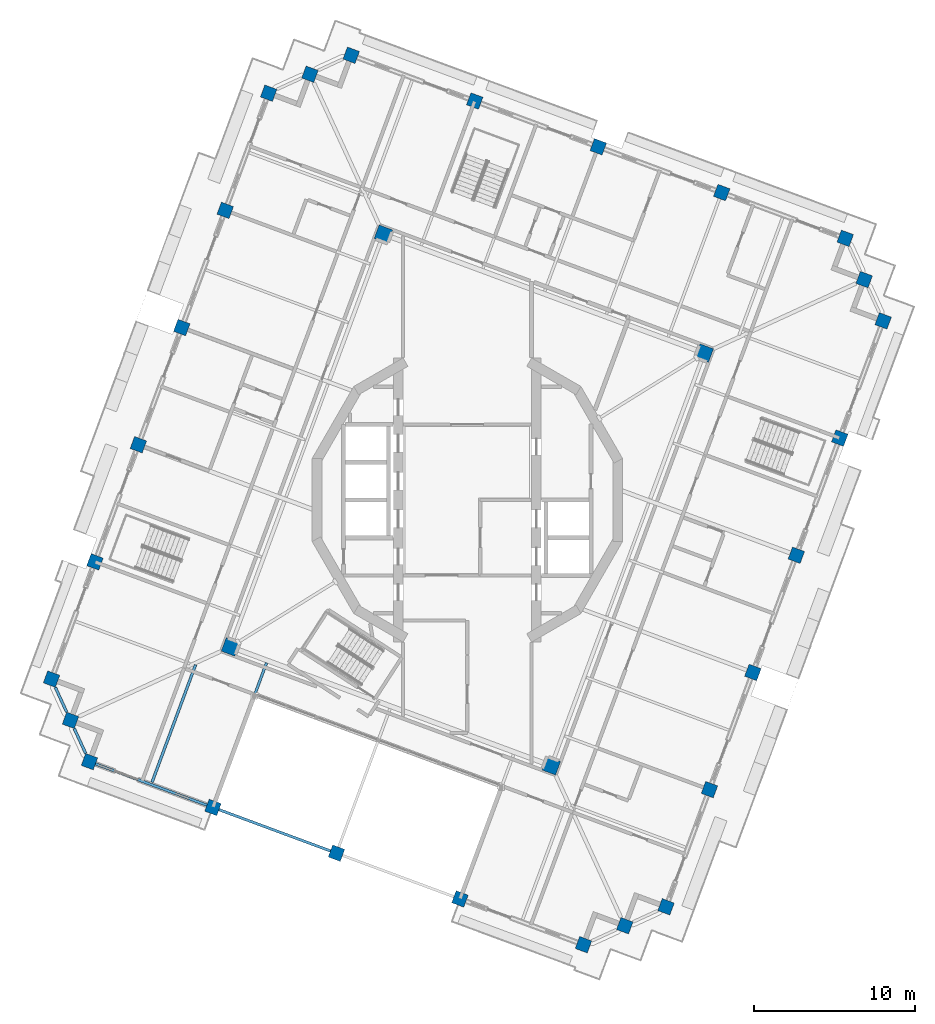
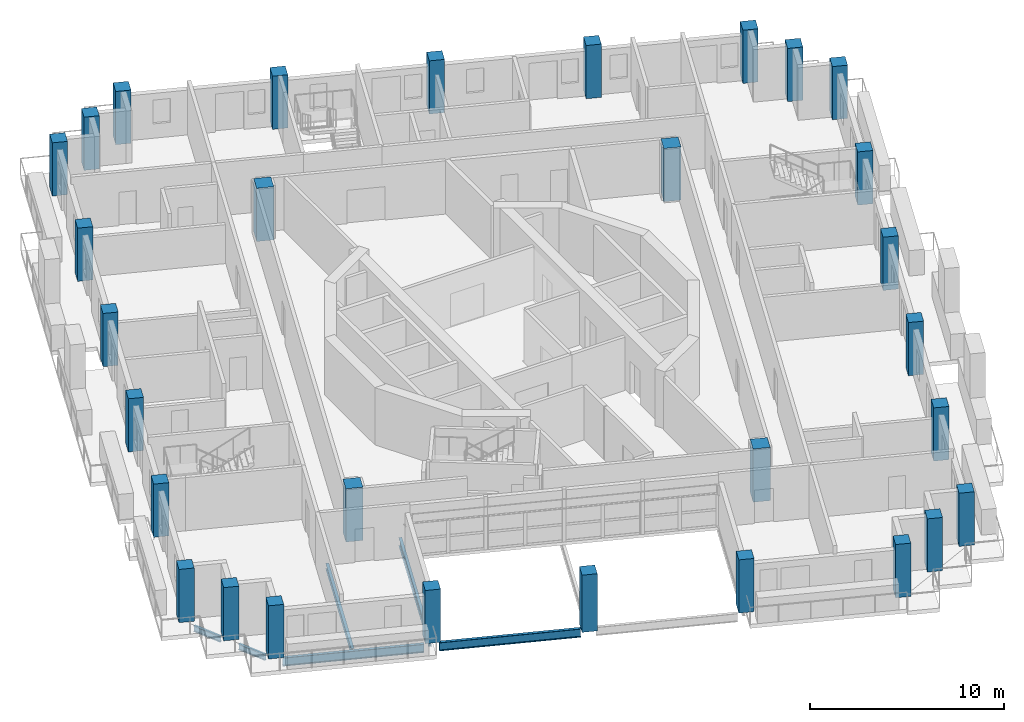
# One storey, part 1 of 19: 30 columns, 6 beams.
"""IFC4 building model written with IfcOpenShell, lengths in metres."""

from ifc_helpers import new_model, si_unit, direction, frame, origin, origin_2d, place, context, subcontext, project, spatial, rectangle, i_section, extrude, material, material_profile, profile_set, type_object, element, save


model = new_model("IFC4")

# Units and contexts
model_context = context("Model", 3, precision=1e-05, world=origin(), true_north=direction((0.0, 1.0)))
body_context = subcontext(model_context, "Body", "Model", "MODEL_VIEW")
ifc_project = project(units=[si_unit("LENGTHUNIT", "METRE"), si_unit("AREAUNIT", "SQUARE_METRE"), si_unit("VOLUMEUNIT", "CUBIC_METRE"), si_unit("PLANEANGLEUNIT", "RADIAN"), si_unit("MASSUNIT", "GRAM", prefix="KILO")], contexts=[model_context])

# Site, building, storey
site_placement = place(None, origin())
site = spatial("IfcSite", under=ifc_project, at=site_placement, CompositionType="ELEMENT")
building_placement = place(site_placement, origin())
building = spatial("IfcBuilding", under=site, at=building_placement, Name="Cantera Rosa Tower", CompositionType="ELEMENT")
storey_placement = place(building_placement, frame((0.0, 0.0, 324.10009765625)))
storey = spatial("IfcBuildingStorey", under=building, at=storey_placement, Name="L72", CompositionType="ELEMENT", Elevation=324.10009765625)

# Columns
ifc_material_1 = material(Name="Concrete C50/60", Category="concrete")
ifc_material_profile_1 = material_profile(ifc_material_1, rectangle(XDim=0.800048828125, YDim=0.800048828125, at=origin_2d()), Name="RC COLUMN RC800X800 C50/60")
ifc_profile_set_1 = profile_set([ifc_material_profile_1], Name="Concrete C50/60")
column_type_1 = type_object("IfcColumnType", Name="RC COLUMN RC800X800 C50/60", PredefinedType="COLUMN", material=ifc_profile_set_1)
for number, where, z_axis, x_axis, name in (
    (1, (23.526611328125, 16.2900390625, 0.0), (0.0, 0.0, 1.0), (0.347481234489, 0.937686936924, 0.0), "C-Z6-01 L72"),
    (2, (15.83740234375, 19.139404296875, 0.0), (0.0, 0.0, 1.0), (0.347481234489, 0.937686936924, 0.0), "C-Z6-02 L72"),
    (3, (8.1484375, 21.98876953125, 0.0), (0.0, 0.0, 1.0), (0.347481234489, 0.937686936924, 0.0), "C-Z6-03 L72"),
    (4, (0.45947265625, 24.838134765625, 0.0), (0.0, 0.0, 1.0), (0.347481234489, 0.937686936924, 0.0), "C-Z6-04 L72"),
    (5, (-7.229736328125, 27.6875, 0.0), (0.0, 0.0, 1.0), (0.347481234489, 0.937686936924, 0.0), "C-Z6-05 L72"),
    (6, (-9.800048828125, 26.507080078125, 0.0), (0.0, 0.0, 1.0), (0.347481234489, 0.937686936924, 0.0), "C-Z6-06 L72"),
    (7, (-12.370361328125, 25.32666015625, 0.0), (0.0, 0.0, 1.0), (0.347481234489, 0.937686936924, 0.0), "C-Z6-07 L72"),
    (8, (-15.07373046875, 18.031494140625, 0.0), (0.0, 0.0, 1.0), (0.347481234489, 0.937686936924, 0.0), "C-Z6-08 L72"),
    (9, (-17.777099609375, 10.736328125, 0.0), (0.0, 0.0, 1.0), (0.347481234489, 0.937686936924, 0.0), "C-Z6-09 L72"),
    (10, (-20.48046875, 3.44091796875, 0.0), (0.0, 0.0, 1.0), (0.347481234489, 0.937686936924, 0.0), "C-Z6-10 L72"),
    (11, (-23.183837890625, -3.854248046875, 0.0), (0.0, 0.0, 1.0), (0.347481234489, 0.937686936924, 0.0), "C-Z6-11 L72"),
    (12, (-25.88720703125, -11.1494140625, 0.0), (0.0, 0.0, 1.0), (0.347481234489, 0.937686936924, 0.0), "C-Z6-12 L72"),
    (13, (-24.70703125, -13.7197265625, 0.0), (0.0, 0.0, 1.0), (0.347481234489, 0.937686936924, 0.0), "C-Z6-13 L72"),
    (14, (-23.526611328125, -16.2900390625, 0.0), (0.0, 0.0, 1.0), (0.347481234489, 0.937686936924, 0.0), "C-Z6-14 L72"),
    (15, (-15.83740234375, -19.139404296875, 0.0), (0.0, 0.0, 1.0), (0.347481234489, 0.937686936924, 0.0), "C-Z6-15 L72"),
):
    element("IfcColumn", number, at=place(storey_placement, frame(where, z_axis=z_axis, x_axis=x_axis)), inside=storey, type_object=column_type_1, Name=name, PredefinedType="COLUMN", context=body_context, shape_type="SweptSolid", body=[
        extrude(rectangle(XDim=0.800048828125, YDim=0.800048828125, at=origin_2d()), origin(), (0.0, 0.0, 1.0), 3.349853515625),
    ])
column_placement = place(storey_placement, frame((-8.1484375, -21.98876953125, -0.25), z_axis=(0.0, 0.0, 1.0), x_axis=(0.347481234489, 0.937686936924, 0.0)))
element("IfcColumn", 16, at=column_placement, inside=storey, type_object=column_type_1, Name="C-Z6-16 L72", PredefinedType="COLUMN", context=body_context, shape_type="SweptSolid", body=[
    extrude(rectangle(XDim=0.800048828125, YDim=0.800048828125, at=origin_2d()), origin(), (0.0, 0.0, 1.0), 3.599853515625),
])
for number, where, z_axis, x_axis, name in (
    (17, (-0.45947265625, -24.838134765625, 0.0), (0.0, 0.0, 1.0), (0.347481234489, 0.937686936924, 0.0), "C-Z6-17 L72"),
    (18, (7.229736328125, -27.6875, 0.0), (0.0, 0.0, 1.0), (0.347481234489, 0.937686936924, 0.0), "C-Z6-18 L72"),
    (19, (9.800048828125, -26.507080078125, 0.0), (0.0, 0.0, 1.0), (0.347481234489, 0.937686936924, 0.0), "C-Z6-19 L72"),
    (20, (12.370361328125, -25.32666015625, 0.0), (0.0, 0.0, 1.0), (0.347481234489, 0.937686936924, 0.0), "C-Z6-20 L72"),
    (21, (15.07373046875, -18.031494140625, 0.0), (0.0, 0.0, 1.0), (0.347481234489, 0.937686936924, 0.0), "C-Z6-21 L72"),
    (22, (17.777099609375, -10.736328125, 0.0), (0.0, 0.0, 1.0), (0.347481234489, 0.937686936924, 0.0), "C-Z6-22 L72"),
    (23, (20.48046875, -3.44091796875, 0.0), (0.0, 0.0, 1.0), (0.347481234489, 0.937686936924, 0.0), "C-Z6-23 L72"),
    (24, (23.183837890625, 3.854248046875, 0.0), (0.0, 0.0, 1.0), (0.347481234489, 0.937686936924, 0.0), "C-Z6-24 L72"),
    (25, (25.88720703125, 11.1494140625, 0.0), (0.0, 0.0, 1.0), (0.347481234489, 0.937686936924, 0.0), "C-Z6-25 L72"),
    (26, (24.70703125, 13.7197265625, 0.0), (0.0, 0.0, 1.0), (0.347481234489, 0.937686936924, 0.0), "C-Z6-26 L72"),
):
    element("IfcColumn", number, at=place(storey_placement, frame(where, z_axis=z_axis, x_axis=x_axis)), inside=storey, type_object=column_type_1, Name=name, PredefinedType="COLUMN", context=body_context, shape_type="SweptSolid", body=[
        extrude(rectangle(XDim=0.800048828125, YDim=0.800048828125, at=origin_2d()), origin(), (0.0, 0.0, 1.0), 3.349853515625),
    ])
ifc_material_2 = material(Name="Concrete C50/60", Category="concrete")
ifc_material_profile_2 = material_profile(ifc_material_2, rectangle(XDim=0.89990234375, YDim=0.89990234375, at=origin_2d()), Name="RC RING COLUMN RC900X900 C50/60")
ifc_profile_set_2 = profile_set([ifc_material_profile_2], Name="Concrete C50/60")
column_type_2 = type_object("IfcColumnType", Name="RC RING COLUMN RC900X900 C50/60", PredefinedType="COLUMN", material=ifc_profile_set_2)
for number, where, z_axis, x_axis, name in (
    (27, (-5.225830078125, 16.546875, 0.0), (0.0, 0.0, 1.0), (0.347481234489, 0.937686936924, 0.0), "CI-Z6-1 L72"),
    (28, (-14.746826171875, -9.145751953125, 0.0), (0.0, 0.0, 1.0), (0.347481234489, 0.937686936924, 0.0), "CI-Z6-2 L72"),
    (29, (5.225830078125, -16.546875, 0.0), (0.0, 0.0, 1.0), (0.347481234489, 0.937686936924, 0.0), "CI-Z6-3 L72"),
    (30, (14.746826171875, 9.145751953125, 0.0), (0.0, 0.0, 1.0), (0.347481234489, 0.937686936924, 0.0), "CI-Z6-4 L72"),
):
    element("IfcColumn", number, at=place(storey_placement, frame(where, z_axis=z_axis, x_axis=x_axis)), inside=storey, type_object=column_type_2, Name=name, PredefinedType="COLUMN", context=body_context, shape_type="SweptSolid", body=[
        extrude(rectangle(XDim=0.89990234375, YDim=0.89990234375, at=origin_2d()), origin(), (0.0, 0.0, 1.0), 3.349853515625),
    ])

# Beams
ifc_material_3 = material(Name="Steel ASTM A992 (Fy 345 MPa)", Category="steel")
ifc_material_profile_3 = material_profile(ifc_material_3, i_section(OverallWidth=0.166015625, OverallDepth=0.528076171875, WebThickness=0.009765625, FlangeThickness=0.013671875, FilletRadius=0.0126953125, at=origin_2d()), Name="W530X74")
ifc_profile_set_3 = profile_set([ifc_material_profile_3], Name="Steel ASTM A992 (Fy 345 MPa)")
beam_type_1 = type_object("IfcBeamType", Name="STEEL BEAM W530X74", PredefinedType="BEAM", material=ifc_profile_set_3)
beam_1_placement = place(storey_placement, frame((-15.698486328125, -18.764404296875, -0.51416015625), z_axis=(0.347476838353, 0.937688566, 0.0), x_axis=(-0.937688566, 0.347476838353, 0.0)))
element("IfcBeam", 31, at=beam_1_placement, inside=storey, type_object=beam_type_1, Name="G-Z6-12 L72", PredefinedType="BEAM", context=body_context, shape_type="SweptSolid", body=[
    extrude(i_section(OverallWidth=0.166015625, OverallDepth=0.528076171875, WebThickness=0.009765625, FlangeThickness=0.013671875, FilletRadius=0.0126953125, at=origin_2d()), origin(), (0.0, 0.0, 1.0), 9.199951171875),
])
ifc_material_4 = material(Name="Steel ASTM A992 (Fy 345 MPa)", Category="steel")
ifc_material_profile_4 = material_profile(ifc_material_4, i_section(OverallWidth=0.1708984375, OverallDepth=0.35595703125, WebThickness=0.00732421875, FlangeThickness=0.01171875, FilletRadius=0.010009765625, at=origin_2d()), Name="W360X51")
ifc_profile_set_4 = profile_set([ifc_material_profile_4], Name="Steel ASTM A992 (Fy 345 MPa)")
beam_type_2 = type_object("IfcBeamType", Name="STEEL JOIST W360X51", PredefinedType="JOIST", material=ifc_profile_set_4)
beam_2_placement = place(storey_placement, frame((-19.6298828125, -17.573974609375, -0.427978515625), z_axis=(0.347491728417, 0.937683048093, 0.0), x_axis=(-0.937683048093, 0.347491728417, 0.0)))
element("IfcBeam", 32, at=beam_2_placement, inside=storey, type_object=beam_type_2, Name="B-Z6-15 L72", PredefinedType="JOIST", context=body_context, shape_type="SweptSolid", body=[
    extrude(i_section(OverallWidth=0.1708984375, OverallDepth=0.35595703125, WebThickness=0.00732421875, FlangeThickness=0.01171875, FilletRadius=0.010009765625, at=origin_2d()), origin(), (0.0, 0.0, 1.0), 7.800048828125),
])
ifc_material_5 = material(Name="Steel ASTM A992 (Fy 345 MPa)", Category="steel")
ifc_material_profile_5 = material_profile(ifc_material_5, i_section(OverallWidth=0.1708984375, OverallDepth=0.35595703125, WebThickness=0.00732421875, FlangeThickness=0.01171875, FilletRadius=0.010009765625, at=origin_2d()), Name="W360X51")
ifc_profile_set_5 = profile_set([ifc_material_profile_5], Name="Steel ASTM A992 (Fy 345 MPa)")
beam_type_3 = type_object("IfcBeamType", Name="STEEL SPANDREL BEAM W360X51", PredefinedType="SPANDREL", material=ifc_profile_set_5)
for number, where, z_axis, x_axis, name in (
    (33, (-25.651123046875, -11.66357421875, -0.427978515625), (0.417268968709, -0.908783036677, 0.0), (0.908783036677, 0.417268968709, 0.0), "EB-Z6-12 L72"),
    (34, (-24.470947265625, -14.23388671875, -0.427978515625), (0.417387791404, -0.908728469669, 0.0), (0.908728469669, 0.417387791404, 0.0), "EB-Z6-13 L72"),
):
    element("IfcBeam", number, at=place(storey_placement, frame(where, z_axis=z_axis, x_axis=x_axis)), inside=storey, type_object=beam_type_3, Name=name, PredefinedType="SPANDREL", context=body_context, shape_type="SweptSolid", body=[
        extrude(i_section(OverallWidth=0.1708984375, OverallDepth=0.35595703125, WebThickness=0.00732421875, FlangeThickness=0.01171875, FilletRadius=0.010009765625, at=origin_2d()), origin(), (0.0, 0.0, 1.0), 1.69677734375),
    ])
ifc_material_6 = material(Name="Steel ASTM A992 (Fy 345 MPa)", Category="steel")
ifc_material_profile_6 = material_profile(ifc_material_6, i_section(OverallWidth=0.166015625, OverallDepth=0.528076171875, WebThickness=0.009765625, FlangeThickness=0.013671875, FilletRadius=0.0126953125, at=origin_2d()), Name="W530X74")
ifc_profile_set_6 = profile_set([ifc_material_profile_6], Name="Steel ASTM A992 (Fy 345 MPa)")
beam_type_4 = type_object("IfcBeamType", Name="STEEL SPANDREL BEAM W530X74", PredefinedType="SPANDREL", material=ifc_profile_set_6)
beam_3_placement = place(storey_placement, frame((-23.1513671875, -16.428955078125, -0.51416015625), z_axis=(0.937676706507, -0.347508840281, 0.0), x_axis=(0.347508840281, 0.937676706507, 0.0)))
element("IfcBeam", 35, at=beam_3_placement, inside=storey, type_object=beam_type_4, Name="EB-Z6-14 L72", PredefinedType="SPANDREL", context=body_context, shape_type="SweptSolid", body=[
    extrude(i_section(OverallWidth=0.166015625, OverallDepth=0.528076171875, WebThickness=0.009765625, FlangeThickness=0.013671875, FilletRadius=0.0126953125, at=origin_2d()), origin(), (0.0, 0.0, 1.0), 7.39990234375),
])
beam_4_placement = place(storey_placement, frame((-15.46240234375, -19.2783203125, -0.51416015625), z_axis=(0.937680690562, -0.34749808999, 0.0), x_axis=(0.34749808999, 0.937680690562, 0.0)))
element("IfcBeam", 36, at=beam_4_placement, inside=storey, type_object=beam_type_4, Name="EB-Z6-15 L72", PredefinedType="SPANDREL", context=body_context, shape_type="SweptSolid", body=[
    extrude(i_section(OverallWidth=0.166015625, OverallDepth=0.528076171875, WebThickness=0.009765625, FlangeThickness=0.013671875, FilletRadius=0.0126953125, at=origin_2d()), origin(), (0.0, 0.0, 1.0), 7.400146484375),
])

save(model, "model.ifc")
